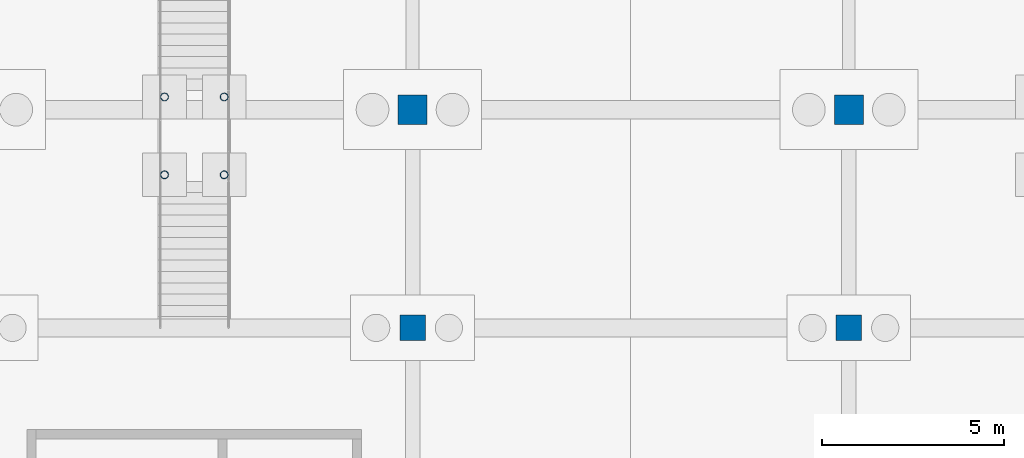
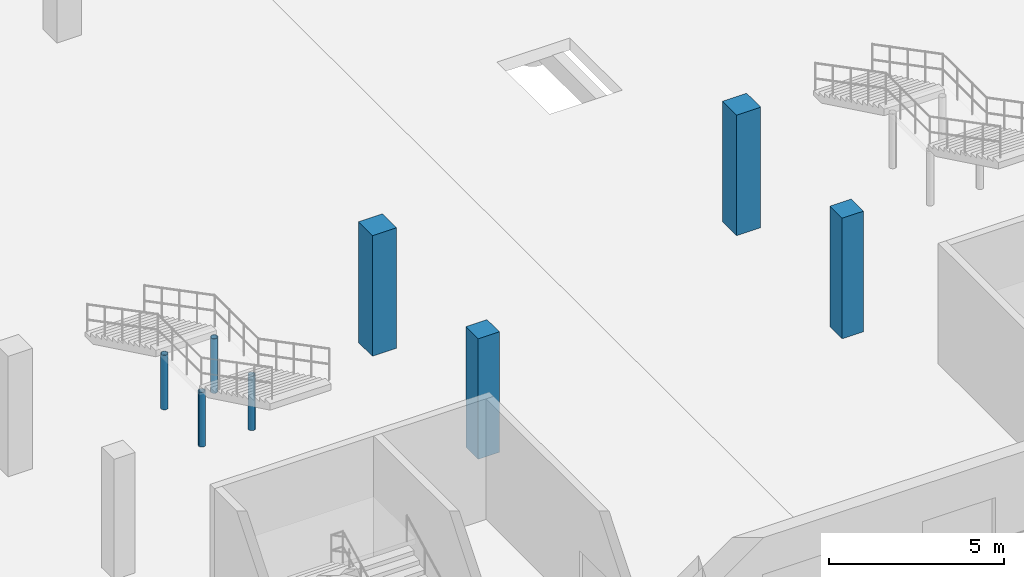
# One storey, part 29 of 77: 8 columns.
"""IFC4 building model written with IfcOpenShell, lengths in metres."""

from ifc_helpers import new_model, si_unit, direction, frame, origin, origin_2d, place, context, subcontext, project, spatial, rectangle, hollow_circle, extrude, material, material_profile, profile_set, type_object, element, save


model = new_model("IFC4")

# Units and contexts
model_context = context("Model", 3, precision=1e-05, world=origin(), true_north=direction((0.0, 1.0)))
body_context = subcontext(model_context, "Body", "Model", "MODEL_VIEW")
ifc_project = project(units=[si_unit("LENGTHUNIT", "METRE"), si_unit("AREAUNIT", "SQUARE_METRE"), si_unit("VOLUMEUNIT", "CUBIC_METRE"), si_unit("PLANEANGLEUNIT", "RADIAN"), si_unit("MASSUNIT", "GRAM", prefix="KILO")], contexts=[model_context])

# Site, building, storey
site_placement = place(None, origin())
site = spatial("IfcSite", under=ifc_project, at=site_placement, CompositionType="ELEMENT")
building_placement = place(site_placement, origin())
building = spatial("IfcBuilding", under=site, at=building_placement, Name="Zilviju Railside Exhibition Hall", CompositionType="ELEMENT")
storey_placement = place(building_placement, origin())
storey = spatial("IfcBuildingStorey", under=building, at=storey_placement, Name="L01", CompositionType="ELEMENT", Elevation=0.0)

# Columns
ifc_material_1 = material(Name="Concrete C35/45", Category="concrete")
ifc_material_profile_1 = material_profile(ifc_material_1, rectangle(XDim=0.699951171875, YDim=0.699951171875, at=origin_2d()), Name="RC COL 700x700")
ifc_profile_set_1 = profile_set([ifc_material_profile_1], Name="Concrete C35/45")
column_type_1 = type_object("IfcColumnType", Name="COL-RC-700", PredefinedType="COLUMN", material=ifc_profile_set_1)
for number, where, z_axis, x_axis, name in (
    (1, (144.0, 96.0, 0.0), (0.0, 0.0, 1.0), (1.0, 0.0, 0.0), "Structural Column L01 (144.0, 96.0)"),
    (2, (156.0, 96.0, 0.0), (0.0, 0.0, 1.0), (1.0, 0.0, 0.0), "Structural Column L01 (156.0, 96.0)"),
):
    element("IfcColumn", number, at=place(storey_placement, frame(where, z_axis=z_axis, x_axis=x_axis)), inside=storey, type_object=column_type_1, Name=name, PredefinedType="COLUMN", context=body_context, shape_type="SweptSolid", body=[
        extrude(rectangle(XDim=0.699951171875, YDim=0.699951171875, at=origin_2d()), origin(), (0.0, 0.0, 1.0), 4.199951171875),
    ])
ifc_material_2 = material(Name="Concrete C40/50", Category="concrete")
ifc_material_profile_2 = material_profile(ifc_material_2, rectangle(XDim=0.800048828125, YDim=0.800048828125, at=origin_2d()), Name="RC COL 800x800")
ifc_profile_set_2 = profile_set([ifc_material_profile_2], Name="Concrete C40/50")
column_type_2 = type_object("IfcColumnType", Name="COL-RC-800", PredefinedType="COLUMN", material=ifc_profile_set_2)
for number, where, z_axis, x_axis, name in (
    (3, (144.0, 102.0, 0.0), (0.0, 0.0, 1.0), (1.0, 0.0, 0.0), "Structural Column L01 (144.0, 102.0)"),
    (4, (156.0, 102.0, 0.0), (0.0, 0.0, 1.0), (1.0, 0.0, 0.0), "Structural Column L01 (156.0, 102.0)"),
):
    element("IfcColumn", number, at=place(storey_placement, frame(where, z_axis=z_axis, x_axis=x_axis)), inside=storey, type_object=column_type_2, Name=name, PredefinedType="COLUMN", context=body_context, shape_type="SweptSolid", body=[
        extrude(rectangle(XDim=0.800048828125, YDim=0.800048828125, at=origin_2d()), origin(), (0.0, 0.0, 1.0), 4.199951171875),
    ])
ifc_material_3 = material(Name="Steel S355ML", Category="steel")
ifc_material_profile_3 = material_profile(ifc_material_3, hollow_circle(Radius=0.109619140625, WallThickness=0.010009765625, at=origin_2d()), Name="CHS 219.1x10.0")
ifc_profile_set_3 = profile_set([ifc_material_profile_3], Name="Steel S355ML")
column_type_3 = type_object("IfcColumnType", Name="COL-ST-CHS219", PredefinedType="COLUMN", material=ifc_profile_set_3)
for number, where, z_axis, x_axis, name in (
    (5, (137.179931640625, 100.2099609375, 0.0), (0.0, 0.0, 1.0), (1.0, 0.0, 0.0), "Feature Stair ST22 Landing Column 1"),
    (6, (138.820068359375, 100.2099609375, 0.0), (0.0, 0.0, 1.0), (1.0, 0.0, 0.0), "Feature Stair ST22 Landing Column 2"),
    (7, (137.179931640625, 102.35009765625, 0.0), (0.0, 0.0, 1.0), (1.0, 0.0, 0.0), "Feature Stair ST22 Landing Column 3"),
    (8, (138.820068359375, 102.35009765625, 0.0), (0.0, 0.0, 1.0), (1.0, 0.0, 0.0), "Feature Stair ST22 Landing Column 4"),
):
    element("IfcColumn", number, at=place(storey_placement, frame(where, z_axis=z_axis, x_axis=x_axis)), inside=storey, type_object=column_type_3, Name=name, PredefinedType="COLUMN", context=body_context, shape_type="SweptSolid", body=[
        extrude(hollow_circle(Radius=0.109619140625, WallThickness=0.010009765625, at=origin_2d()), origin(), (0.0, 0.0, 1.0), 1.89990234375),
    ])

save(model, "model.ifc")
